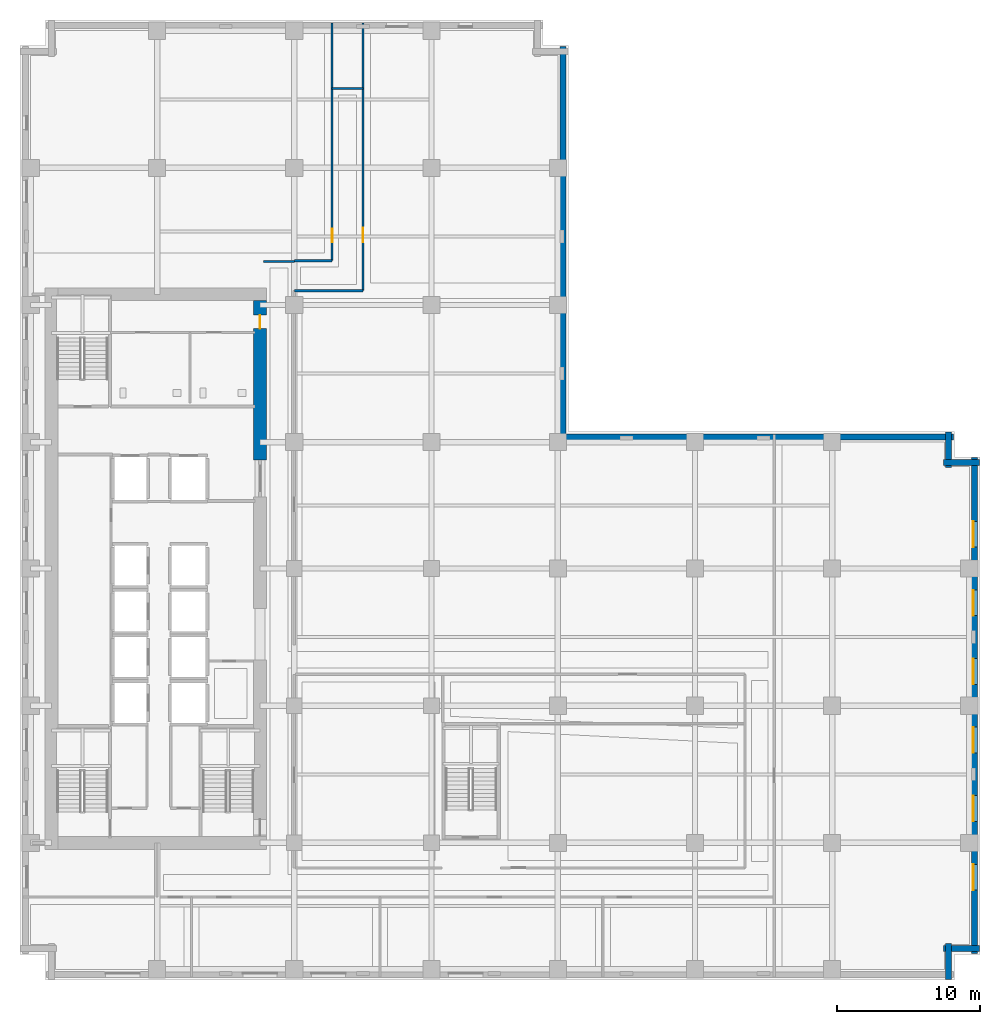
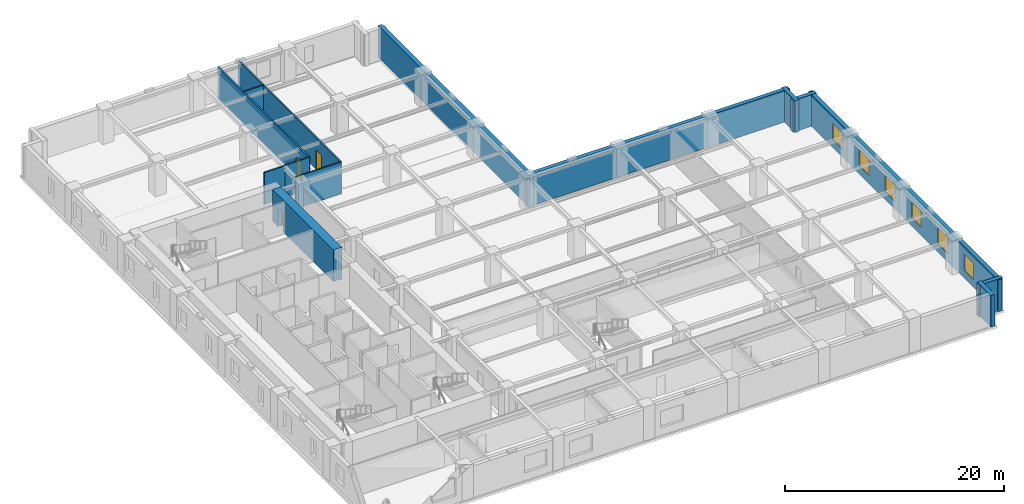
# One storey, part 7 of 13: 14 walls, 6 windows, 3 doors, 9 openings.
"""IFC4 building model written with IfcOpenShell, lengths in metres."""

from ifc_helpers import new_model, si_unit, direction, frame, frame_2d, origin, place, context, subcontext, project, spatial, rectangle, extrude, material, layer, layer_set, type_object, element, fill, save


model = new_model("IFC4")

# Units and contexts
model_context = context("Model", 3, precision=1e-05, world=origin(), true_north=direction((0.0, 1.0)))
body_context = subcontext(model_context, "Body", "Model", "MODEL_VIEW")
ifc_project = project(units=[si_unit("LENGTHUNIT", "METRE"), si_unit("AREAUNIT", "SQUARE_METRE"), si_unit("VOLUMEUNIT", "CUBIC_METRE"), si_unit("PLANEANGLEUNIT", "RADIAN"), si_unit("MASSUNIT", "GRAM", prefix="KILO")], contexts=[model_context])

# Site, building, storey
site_placement = place(None, origin())
site = spatial("IfcSite", under=ifc_project, at=site_placement, CompositionType="ELEMENT")
building_placement = place(site_placement, origin())
building = spatial("IfcBuilding", under=site, at=building_placement, Name="Norrvale University Quadrangle", CompositionType="ELEMENT")
storey_placement = place(building_placement, frame((0.0, 0.0, 43.199951171875)))
storey = spatial("IfcBuildingStorey", under=building, at=storey_placement, Name="L10", CompositionType="ELEMENT", Elevation=43.199951171875)

# Walls
ifc_material_1 = material(Name="Buff Norman Clay Brick Masonry", Category="masonry")
ifc_layer_1 = layer(ifc_material_1, 0.419921875, Name="Buff Norman Clay Brick Masonry")
ifc_layer_set_1 = layer_set([ifc_layer_1], Name="Buff Norman Clay Brick Masonry")
wall_type_1 = type_object("IfcWallType", Name="Wall Buff Brick 420", PredefinedType="SOLIDWALL", material=ifc_layer_set_1)
for number, where, z_axis, x_axis, name in (
    (1, (65.010009765625, 0.0400390625, 0.0), (0.0, 0.0, 1.0), (0.0, 1.0, 0.0), "Exterior Brick Facade Wall L10-02.1"),
    (2, (64.659912109375, 2.18994140625, 0.0), (0.0, 0.0, 1.0), (1.0, 0.0, 0.0), "Exterior Brick Facade Wall L10-03.1"),
):
    element("IfcWall", number, at=place(storey_placement, frame(where, z_axis=z_axis, x_axis=x_axis)), inside=storey, type_object=wall_type_1, Name=name, PredefinedType="SOLIDWALL", context=body_context, shape_type="SweptSolid", body=[
        extrude(rectangle(XDim=2.5, YDim=0.419921875, at=frame_2d((1.25, 0.0))), origin(), (0.0, 0.0, 1.0), 3.5400390625),
    ])

# Wall, openings, windows
wall_1_placement = place(storey_placement, frame((66.81005859375, 1.840087890625, 0.0), z_axis=(0.0, 0.0, 1.0), x_axis=(0.0, 1.0, 0.0)))
wall_1 = element("IfcWall", 3, at=wall_1_placement, inside=storey, type_object=wall_type_1, Name="Exterior Brick Facade Wall L10-04.1", PredefinedType="SOLIDWALL", context=body_context, shape_type="SweptSolid", body=[
    extrude(rectangle(XDim=34.719970703125, YDim=0.419921875, at=frame_2d((17.35986328125, 0.0))), origin(), (0.0, 0.0, 1.0), 3.5400390625),
])
opening_1_placement = place(wall_1_placement, frame((4.4599609375, 0.0, 0.85009765625)))
opening_1 = element("IfcOpeningElement", 4, at=opening_1_placement, cuts=wall_1, Name="Opening W01", PredefinedType="OPENING", context=body_context, shape_type="SweptSolid", body=[
    extrude(rectangle(XDim=1.800048828125, YDim=1.85009765625, at=frame_2d((0.89990234375, 0.925048828125))), frame((0.0, 0.221923828125, 0.0), z_axis=(0.0, -1.0, 0.0), x_axis=(1.0, 0.0, 0.0)), (0.0, 0.0, 1.0), 0.44384765625),
])
opening_2_placement = place(wall_1_placement, frame((9.260009765625, 0.0, 0.85009765625)))
opening_2 = element("IfcOpeningElement", 5, at=opening_2_placement, cuts=wall_1, Name="Opening W01", PredefinedType="OPENING", context=body_context, shape_type="SweptSolid", body=[
    extrude(rectangle(XDim=1.800048828125, YDim=1.85009765625, at=frame_2d((0.89990234375, 0.925048828125))), frame((0.0, 0.221923828125, 0.0), z_axis=(0.0, -1.0, 0.0), x_axis=(1.0, 0.0, 0.0)), (0.0, 0.0, 1.0), 0.44384765625),
])
opening_3_placement = place(wall_1_placement, frame((14.06005859375, 0.0, 0.85009765625)))
opening_3 = element("IfcOpeningElement", 6, at=opening_3_placement, cuts=wall_1, Name="Opening W01", PredefinedType="OPENING", context=body_context, shape_type="SweptSolid", body=[
    extrude(rectangle(XDim=1.800048828125, YDim=1.85009765625, at=frame_2d((0.89990234375, 0.925048828125))), frame((0.0, 0.221923828125, 0.0), z_axis=(0.0, -1.0, 0.0), x_axis=(1.0, 0.0, 0.0)), (0.0, 0.0, 1.0), 0.44384765625),
])
opening_4_placement = place(wall_1_placement, frame((18.860107421875, 0.0, 0.85009765625)))
opening_4 = element("IfcOpeningElement", 7, at=opening_4_placement, cuts=wall_1, Name="Opening W01", PredefinedType="OPENING", context=body_context, shape_type="SweptSolid", body=[
    extrude(rectangle(XDim=1.800048828125, YDim=1.85009765625, at=frame_2d((0.89990234375, 0.925048828125))), frame((0.0, 0.221923828125, 0.0), z_axis=(0.0, -1.0, 0.0), x_axis=(1.0, 0.0, 0.0)), (0.0, 0.0, 1.0), 0.44384765625),
])
opening_5_placement = place(wall_1_placement, frame((23.659912109375, 0.0, 0.85009765625)))
opening_5 = element("IfcOpeningElement", 8, at=opening_5_placement, cuts=wall_1, Name="Opening W01", PredefinedType="OPENING", context=body_context, shape_type="SweptSolid", body=[
    extrude(rectangle(XDim=1.800048828125, YDim=1.85009765625, at=frame_2d((0.89990234375, 0.925048828125))), frame((0.0, 0.221923828125, 0.0), z_axis=(0.0, -1.0, 0.0), x_axis=(1.0, 0.0, 0.0)), (0.0, 0.0, 1.0), 0.44384765625),
])
opening_6_placement = place(wall_1_placement, frame((28.4599609375, 0.0, 0.85009765625)))
opening_6 = element("IfcOpeningElement", 9, at=opening_6_placement, cuts=wall_1, Name="Opening W01", PredefinedType="OPENING", context=body_context, shape_type="SweptSolid", body=[
    extrude(rectangle(XDim=1.800048828125, YDim=1.85009765625, at=frame_2d((0.89990234375, 0.925048828125))), frame((0.0, 0.221923828125, 0.0), z_axis=(0.0, -1.0, 0.0), x_axis=(1.0, 0.0, 0.0)), (0.0, 0.0, 1.0), 0.44384765625),
])
ifc_material_2 = material(Name="Triple Low-E Argon Glazing", Category="glass")
window_type = type_object("IfcWindowType", Name="Window Academic 1800x2300", PartitioningType="DOUBLE_PANEL_VERTICAL", PredefinedType="WINDOW", material=ifc_material_2)
window_1_placement = place(opening_1_placement, origin())
window_1 = element("IfcWindow", 10, at=window_1_placement, inside=storey, type_object=window_type, Name="Window Academic 1800x2300 WIN-L10-E04-1-01", OverallHeight=1.85009765625, OverallWidth=1.800048828125, PartitioningType="DOUBLE_PANEL_VERTICAL", PredefinedType="WINDOW", context=body_context, shape_type="SweptSolid", body=[
    extrude(rectangle(XDim=1.800048828125, YDim=1.85009765625, at=frame_2d((0.89990234375, 0.925048828125))), frame((0.0, 0.110107421875, 0.0), z_axis=(0.0, -1.0, 0.0), x_axis=(1.0, 0.0, 0.0)), (0.0, 0.0, 1.0), 0.06005859375),
])
fill(opening_1, window_1)
window_2_placement = place(opening_2_placement, origin())
window_2 = element("IfcWindow", 11, at=window_2_placement, inside=storey, type_object=window_type, Name="Window Academic 1800x2300 WIN-L10-E04-1-02", OverallHeight=1.85009765625, OverallWidth=1.800048828125, PartitioningType="DOUBLE_PANEL_VERTICAL", PredefinedType="WINDOW", context=body_context, shape_type="SweptSolid", body=[
    extrude(rectangle(XDim=1.800048828125, YDim=1.85009765625, at=frame_2d((0.89990234375, 0.925048828125))), frame((0.0, 0.110107421875, 0.0), z_axis=(0.0, -1.0, 0.0), x_axis=(1.0, 0.0, 0.0)), (0.0, 0.0, 1.0), 0.06005859375),
])
fill(opening_2, window_2)
window_3_placement = place(opening_3_placement, origin())
window_3 = element("IfcWindow", 12, at=window_3_placement, inside=storey, type_object=window_type, Name="Window Academic 1800x2300 WIN-L10-E04-1-03", OverallHeight=1.85009765625, OverallWidth=1.800048828125, PartitioningType="DOUBLE_PANEL_VERTICAL", PredefinedType="WINDOW", context=body_context, shape_type="SweptSolid", body=[
    extrude(rectangle(XDim=1.800048828125, YDim=1.85009765625, at=frame_2d((0.89990234375, 0.925048828125))), frame((0.0, 0.110107421875, 0.0), z_axis=(0.0, -1.0, 0.0), x_axis=(1.0, 0.0, 0.0)), (0.0, 0.0, 1.0), 0.06005859375),
])
fill(opening_3, window_3)
window_4_placement = place(opening_4_placement, origin())
window_4 = element("IfcWindow", 13, at=window_4_placement, inside=storey, type_object=window_type, Name="Window Academic 1800x2300 WIN-L10-E04-1-04", OverallHeight=1.85009765625, OverallWidth=1.800048828125, PartitioningType="DOUBLE_PANEL_VERTICAL", PredefinedType="WINDOW", context=body_context, shape_type="SweptSolid", body=[
    extrude(rectangle(XDim=1.800048828125, YDim=1.85009765625, at=frame_2d((0.89990234375, 0.925048828125))), frame((0.0, 0.110107421875, 0.0), z_axis=(0.0, -1.0, 0.0), x_axis=(1.0, 0.0, 0.0)), (0.0, 0.0, 1.0), 0.06005859375),
])
fill(opening_4, window_4)
window_5_placement = place(opening_5_placement, origin())
window_5 = element("IfcWindow", 14, at=window_5_placement, inside=storey, type_object=window_type, Name="Window Academic 1800x2300 WIN-L10-E04-1-05", OverallHeight=1.85009765625, OverallWidth=1.800048828125, PartitioningType="DOUBLE_PANEL_VERTICAL", PredefinedType="WINDOW", context=body_context, shape_type="SweptSolid", body=[
    extrude(rectangle(XDim=1.800048828125, YDim=1.85009765625, at=frame_2d((0.89990234375, 0.925048828125))), frame((0.0, 0.110107421875, 0.0), z_axis=(0.0, -1.0, 0.0), x_axis=(1.0, 0.0, 0.0)), (0.0, 0.0, 1.0), 0.06005859375),
])
fill(opening_5, window_5)
window_6_placement = place(opening_6_placement, origin())
window_6 = element("IfcWindow", 15, at=window_6_placement, inside=storey, type_object=window_type, Name="Window Academic 1800x2300 WIN-L10-E04-1-06", OverallHeight=1.85009765625, OverallWidth=1.800048828125, PartitioningType="DOUBLE_PANEL_VERTICAL", PredefinedType="WINDOW", context=body_context, shape_type="SweptSolid", body=[
    extrude(rectangle(XDim=1.800048828125, YDim=1.85009765625, at=frame_2d((0.89990234375, 0.925048828125))), frame((0.0, 0.110107421875, 0.0), z_axis=(0.0, -1.0, 0.0), x_axis=(1.0, 0.0, 0.0)), (0.0, 0.0, 1.0), 0.06005859375),
])
fill(opening_6, window_6)

# Walls
for number, where, z_axis, x_axis, name in (
    (16, (67.159912109375, 36.2099609375, 0.0), (0.0, 0.0, 1.0), (-1.0, 0.0, 0.0), "Exterior Brick Facade Wall L10-05.1"),
    (17, (65.010009765625, 35.860107421875, 0.0), (0.0, 0.0, 1.0), (0.0, 1.0, 0.0), "Exterior Brick Facade Wall L10-06.1"),
):
    element("IfcWall", number, at=place(storey_placement, frame(where, z_axis=z_axis, x_axis=x_axis)), inside=storey, type_object=wall_type_1, Name=name, PredefinedType="SOLIDWALL", context=body_context, shape_type="SweptSolid", body=[
        extrude(rectangle(XDim=2.5, YDim=0.419921875, at=frame_2d((1.25, 0.0))), origin(), (0.0, 0.0, 1.0), 3.5400390625),
    ])
for number, where, z_axis, x_axis, name in (
    (18, (65.360107421875, 38.010009765625, 0.0), (0.0, 0.0, 1.0), (-1.0, 0.0, 0.0), "Exterior Brick Facade Wall L10-07.1"),
    (19, (38.010009765625, 37.659912109375, 0.0), (0.0, 0.0, 1.0), (0.0, 1.0, 0.0), "Exterior Brick Facade Wall L10-08.1"),
):
    element("IfcWall", number, at=place(storey_placement, frame(where, z_axis=z_axis, x_axis=x_axis)), inside=storey, type_object=wall_type_1, Name=name, PredefinedType="SOLIDWALL", context=body_context, shape_type="SweptSolid", body=[
        extrude(rectangle(XDim=27.7001953125, YDim=0.419921875, at=frame_2d((13.85009765625, 0.0))), origin(), (0.0, 0.0, 1.0), 3.5400390625),
    ])

# Wall, opening, door
ifc_material_3 = material(Name="Concrete C80/95", Category="concrete")
ifc_layer_2 = layer(ifc_material_3, 0.89990234375, Name="Concrete C80/95")
ifc_layer_set_2 = layer_set([ifc_layer_2], Name="Concrete C80/95")
wall_type_2 = type_object("IfcWallType", Name="Wall Core 900", PredefinedType="SHEAR", material=ifc_layer_set_2)
wall_2_placement = place(storey_placement, frame((16.800048828125, 36.39990234375, 0.0), z_axis=(0.0, 0.0, 1.0), x_axis=(0.0, 1.0, 0.0)))
wall_2 = element("IfcWall", 20, at=wall_2_placement, inside=storey, type_object=wall_type_2, Name="Tower Core Shear Wall L10-E3", PredefinedType="SHEAR", context=body_context, shape_type="SweptSolid", body=[
    extrude(rectangle(XDim=11.150146484375, YDim=0.89990234375, at=frame_2d((5.5751953125, 0.0))), origin(), (0.0, 0.0, 1.0), 3.5400390625),
])
opening_7_placement = place(wall_2_placement, frame((9.199951171875, 0.0, 0.0)))
opening_7 = element("IfcOpeningElement", 21, at=opening_7_placement, cuts=wall_2, Name="Opening D07", PredefinedType="OPENING", context=body_context, shape_type="SweptSolid", body=[
    extrude(rectangle(XDim=0.949951171875, YDim=2.14990234375, at=frame_2d((0.47509765625, 1.074951171875))), frame((0.0, 0.4619140625, 0.0), z_axis=(0.0, -1.0, 0.0), x_axis=(1.0, 0.0, 0.0)), (0.0, 0.0, 1.0), 0.923828125),
])
ifc_material_4 = material(Name="Solid-Core Maple Door", Category="wood")
door_type_1 = type_object("IfcDoorType", Name="Door Office 950x2150", OperationType="NOTDEFINED", PredefinedType="DOOR", material=ifc_material_4)
door_1_placement = place(opening_7_placement, origin())
door_1 = element("IfcDoor", 22, at=door_1_placement, inside=storey, type_object=door_type_1, Name="Door Office 950x2150 DR-L10-NECORR", OperationType="SINGLE_SWING_LEFT", OverallHeight=2.14990234375, OverallWidth=0.949951171875, PredefinedType="DOOR", context=body_context, shape_type="SweptSolid", body=[
    extrude(rectangle(XDim=0.949951171875, YDim=2.14990234375, at=frame_2d((0.47509765625, 1.074951171875))), frame((0.0, 0.02490234375, 0.0), z_axis=(0.0, -1.0, 0.0), x_axis=(1.0, 0.0, 0.0)), (0.0, 0.0, 1.0), 0.050048828125),
])
fill(opening_7, door_1)

# Walls
ifc_material_5 = material(Name="Fire-Rated Gypsum Stud Partition")
ifc_layer_3 = layer(ifc_material_5, 0.14990234375, Name="Fire-Rated Gypsum Stud Partition")
ifc_layer_set_3 = layer_set([ifc_layer_3], Name="Fire-Rated Gypsum Stud Partition")
wall_type_3 = type_object("IfcWallType", Name="Wall Gypsum Corridor 150", PredefinedType="PARTITIONING", material=ifc_layer_set_3)
wall_3_placement = place(storey_placement, frame((17.050048828125, 50.300048828125, 0.0), z_axis=(0.0, 0.0, 1.0), x_axis=(1.0, 0.0, 0.0)))
element("IfcWall", 23, at=wall_3_placement, inside=storey, type_object=wall_type_3, Name="Interior Partition WL-L10-CN-END", PredefinedType="PARTITIONING", context=body_context, shape_type="SweptSolid", body=[
    extrude(rectangle(XDim=2.14990234375, YDim=0.14990234375, at=frame_2d((1.074951171875, 0.0))), origin(), (0.0, 0.0, 1.0), 3.5400390625),
])
wall_4_placement = place(storey_placement, frame((19.199951171875, 48.25, 0.0), z_axis=(0.0, 0.0, 1.0), x_axis=(1.0, 0.0, 0.0)))
element("IfcWall", 24, at=wall_4_placement, inside=storey, type_object=wall_type_3, Name="Interior Partition WL-L10-JOGS", PredefinedType="PARTITIONING", context=body_context, shape_type="SweptSolid", body=[
    extrude(rectangle(XDim=4.800048828125, YDim=0.14990234375, at=frame_2d((2.39990234375, 0.0))), origin(), (0.0, 0.0, 1.0), 3.5400390625),
])
wall_5_placement = place(storey_placement, frame((19.199951171875, 50.35009765625, 0.0), z_axis=(0.0, 0.0, 1.0), x_axis=(1.0, 0.0, 0.0)))
element("IfcWall", 25, at=wall_5_placement, inside=storey, type_object=wall_type_3, Name="Interior Partition WL-L10-JOGN", PredefinedType="PARTITIONING", context=body_context, shape_type="SweptSolid", body=[
    extrude(rectangle(XDim=2.650146484375, YDim=0.14990234375, at=frame_2d((1.3251953125, 0.0))), origin(), (0.0, 0.0, 1.0), 3.5400390625),
])
wall_6_placement = place(storey_placement, frame((21.85009765625, 62.39990234375, 0.0), z_axis=(0.0, 0.0, 1.0), x_axis=(1.0, 0.0, 0.0)))
element("IfcWall", 26, at=wall_6_placement, inside=storey, type_object=wall_type_3, Name="Interior Partition WL-L10-JOGEND", PredefinedType="PARTITIONING", context=body_context, shape_type="SweptSolid", body=[
    extrude(rectangle(XDim=2.14990234375, YDim=0.14990234375, at=frame_2d((1.074951171875, 0.0))), origin(), (0.0, 0.0, 1.0), 3.5400390625),
])

# Wall, opening, door
wall_7_placement = place(storey_placement, frame((24.0, 48.25, 0.0), z_axis=(0.0, 0.0, 1.0), x_axis=(0.0, 1.0, 0.0)))
wall_7 = element("IfcWall", 27, at=wall_7_placement, inside=storey, type_object=wall_type_3, Name="Interior Partition WL-L10-NECW", PredefinedType="PARTITIONING", context=body_context, shape_type="SweptSolid", body=[
    extrude(rectangle(XDim=18.72998046875, YDim=0.14990234375, at=frame_2d((9.364990234375, 0.0))), origin(), (0.0, 0.0, 1.0), 3.5400390625),
])
opening_8_placement = place(wall_7_placement, frame((3.39990234375, 0.0, 0.0)))
opening_8 = element("IfcOpeningElement", 28, at=opening_8_placement, cuts=wall_7, Name="Opening D04", PredefinedType="OPENING", context=body_context, shape_type="SweptSolid", body=[
    extrude(rectangle(XDim=1.0, YDim=2.199951171875, at=frame_2d((0.5, 1.10009765625))), frame((0.0, 0.0869140625, 0.0), z_axis=(0.0, -1.0, 0.0), x_axis=(1.0, 0.0, 0.0)), (0.0, 0.0, 1.0), 0.173828125),
])
ifc_material_6 = material(Name="Solid-Core Oak Fire Door", Category="wood")
door_type_2 = type_object("IfcDoorType", Name="Door Corridor 1000x2200", OperationType="NOTDEFINED", PredefinedType="DOOR", material=ifc_material_6)
door_2_placement = place(opening_8_placement, origin())
door_2 = element("IfcDoor", 29, at=door_2_placement, inside=storey, type_object=door_type_2, Name="Door Corridor 1000x2200 DR-L10-NE01", OperationType="SINGLE_SWING_RIGHT", OverallHeight=2.199951171875, OverallWidth=1.0, PredefinedType="DOOR", context=body_context, shape_type="SweptSolid", body=[
    extrude(rectangle(XDim=1.0, YDim=2.199951171875, at=frame_2d((0.5, 1.10009765625))), frame((0.0, 0.02490234375, 0.0), z_axis=(0.0, -1.0, 0.0), x_axis=(1.0, 0.0, 0.0)), (0.0, 0.0, 1.0), 0.050048828125),
])
fill(opening_8, door_2)

wall_8_placement = place(storey_placement, frame((21.85009765625, 50.35009765625, 0.0), z_axis=(0.0, 0.0, 1.0), x_axis=(0.0, 1.0, 0.0)))
wall_8 = element("IfcWall", 30, at=wall_8_placement, inside=storey, type_object=wall_type_3, Name="Interior Partition WL-L10-NWCW", PredefinedType="PARTITIONING", context=body_context, shape_type="SweptSolid", body=[
    extrude(rectangle(XDim=16.6298828125, YDim=0.14990234375, at=frame_2d((8.31494140625, 0.0))), origin(), (0.0, 0.0, 1.0), 3.5400390625),
])
opening_9_placement = place(wall_8_placement, frame((1.300048828125, 0.0, 0.0)))
opening_9 = element("IfcOpeningElement", 31, at=opening_9_placement, cuts=wall_8, Name="Opening D07", PredefinedType="OPENING", context=body_context, shape_type="SweptSolid", body=[
    extrude(rectangle(XDim=0.949951171875, YDim=2.14990234375, at=frame_2d((0.47509765625, 1.074951171875))), frame((0.0, 0.0869140625, 0.0), z_axis=(0.0, -1.0, 0.0), x_axis=(1.0, 0.0, 0.0)), (0.0, 0.0, 1.0), 0.173828125),
])
door_3_placement = place(opening_9_placement, origin())
door_3 = element("IfcDoor", 32, at=door_3_placement, inside=storey, type_object=door_type_1, Name="Door Office 950x2150 DR-L10-NW01", OperationType="SINGLE_SWING_RIGHT", OverallHeight=2.14990234375, OverallWidth=0.949951171875, PredefinedType="DOOR", context=body_context, shape_type="SweptSolid", body=[
    extrude(rectangle(XDim=0.949951171875, YDim=2.14990234375, at=frame_2d((0.47509765625, 1.074951171875))), frame((0.0, 0.02490234375, 0.0), z_axis=(0.0, -1.0, 0.0), x_axis=(1.0, 0.0, 0.0)), (0.0, 0.0, 1.0), 0.050048828125),
])
fill(opening_9, door_3)

save(model, "model.ifc")
